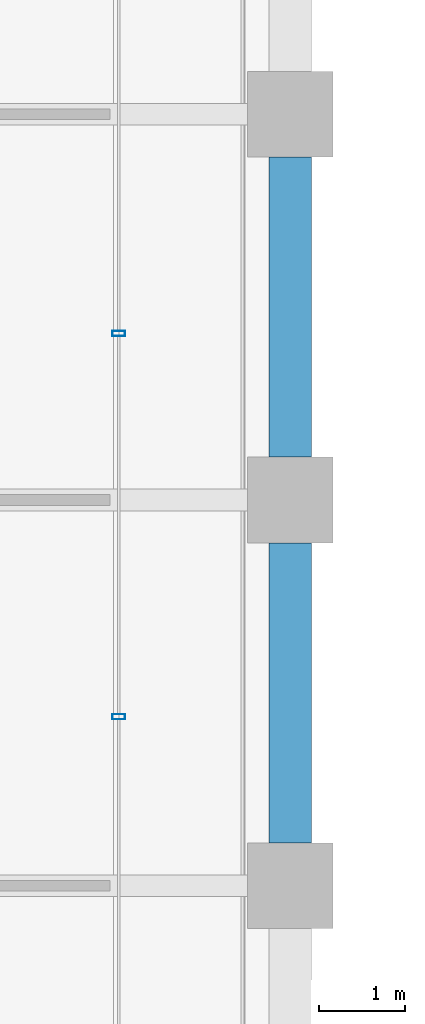
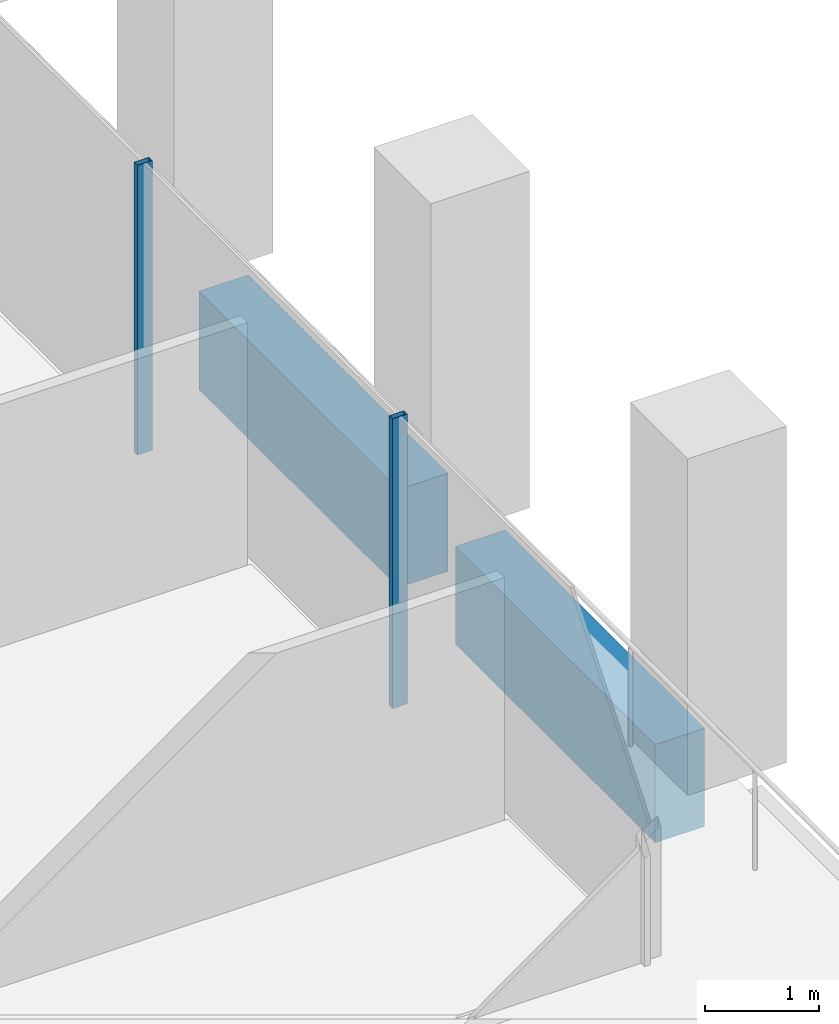
# One storey, part 15 of 46: 2 beams, 2 members, 1 element without a shape of its own.
"""IFC4 building model written with IfcOpenShell, lengths in metres."""

import ifcopenshell
import ifcopenshell.guid

model = None  # the IFC model being written
_history = None  # IfcOwnerHistory: only IFC2X3 demands one
_inside = {}  # id of a spatial element -> (the spatial element, [elements in it])
_under = {}  # id of a project, library or spatial element -> (it, [spatial elements below it])
_declared = {}  # id of a project -> (the project, [libraries it declares])
_typed = {}  # id of a type object -> (the type object, [elements of that type])
_made_of = {}  # id of a material, layer set ... -> (it, [elements and type objects made of it])


def new_model(schema):
    """Start an empty IFC model of exactly this schema.

    Asked for "IFC4X3", IfcOpenShell would pick the latest addendum, in which some entities
    have other attributes; the version numbers below select the first issue.
    IFC2X3 requires an IfcOwnerHistory on every rooted entity: one is made here for all.
    """
    global model, _history
    if schema == "IFC4X3":
        model = ifcopenshell.file(schema_version=(4, 3, 0, 0))
    else:
        model = ifcopenshell.file(schema=schema)
    _inside.clear()
    _under.clear()
    _declared.clear()
    _typed.clear()
    _made_of.clear()
    _history = None
    if model.schema == "IFC2X3":
        org = make("IfcOrganization", Name="unknown")
        user = make(
            "IfcPersonAndOrganization",
            ThePerson=make("IfcPerson", FamilyName="unknown"),
            TheOrganization=org,
        )
        app = make(
            "IfcApplication",
            ApplicationDeveloper=org,
            Version="unknown",
            ApplicationFullName="unknown",
            ApplicationIdentifier="unknown",
        )
        _history = make(
            "IfcOwnerHistory",
            OwningUser=user,
            OwningApplication=app,
            ChangeAction="ADDED",
            CreationDate=0,
        )
    return model


def make(cls, **values):
    """One entity of the class cls with the attributes given. An attribute that is None is left unset."""
    return model.create_entity(
        cls, **{name: value for name, value in values.items() if value is not None}
    )


def rooted(cls, **values):
    """An entity with a GlobalId (a new one), such as an element, a storey or a relation."""
    return make(cls, GlobalId=ifcopenshell.guid.new(), OwnerHistory=_history, **values)


def si_unit(unit_type, name, prefix=None):
    """IfcSIUnit, for example si_unit("LENGTHUNIT", "METRE", prefix="MILLI")."""
    return make("IfcSIUnit", UnitType=unit_type, Prefix=prefix, Name=name)


def assignment(units):
    """IfcUnitAssignment: the units of a project."""
    return None if units is None else make("IfcUnitAssignment", Units=units)


def point(xyz):
    """IfcCartesianPoint."""
    return None if xyz is None else make("IfcCartesianPoint", Coordinates=xyz)


def direction(xyz):
    """IfcDirection."""
    return None if xyz is None else make("IfcDirection", DirectionRatios=xyz)


def frame(location, z_axis=None, x_axis=None):
    """IfcAxis2Placement3D, a coordinate frame: its origin and axes. An axis left out is left unset."""
    return make(
        "IfcAxis2Placement3D",
        Location=point(location),
        Axis=direction(z_axis),
        RefDirection=direction(x_axis),
    )


def frame_2d(location, x_axis=None):
    """IfcAxis2Placement2D, a coordinate frame in the plane: its origin and x axis."""
    return make(
        "IfcAxis2Placement2D", Location=point(location), RefDirection=direction(x_axis)
    )


def origin():
    """The frame at (0, 0, 0) with its axes left unset."""
    return frame((0.0, 0.0, 0.0))


def origin_2d():
    """The frame at (0, 0) in the plane with its x axis left unset."""
    return frame_2d((0.0, 0.0))


def place(relative_to, where):
    """IfcLocalPlacement: puts the frame where relative to a parent placement (None: the world)."""
    return make(
        "IfcLocalPlacement", PlacementRelTo=relative_to, RelativePlacement=where
    )


def context(
    kind, dimensions, precision=None, world=None, true_north=None, identifier=None
):
    """IfcGeometricRepresentationContext, for example the 3D "Model" context."""
    return make(
        "IfcGeometricRepresentationContext",
        ContextIdentifier=identifier,
        ContextType=kind,
        CoordinateSpaceDimension=dimensions,
        Precision=precision,
        WorldCoordinateSystem=world,
        TrueNorth=true_north,
    )


def subcontext(parent, identifier, kind, view, scale=None):
    """IfcGeometricRepresentationSubContext, for example "Body" below "Model"."""
    return make(
        "IfcGeometricRepresentationSubContext",
        ContextIdentifier=identifier,
        ContextType=kind,
        ParentContext=parent,
        TargetScale=scale,
        TargetView=view,
    )


def project(units=None, contexts=None):
    """IfcProject with its units and contexts."""
    return rooted(
        "IfcProject",
        Name="project",
        RepresentationContexts=contexts,
        UnitsInContext=assignment(units),
    )


def spatial(cls, under=None, at=None, **own):
    """A site, building, storey or space (cls), placed at a placement, below another one or the project."""
    s = rooted(cls, ObjectPlacement=at, **own)
    if under is not None:
        _under.setdefault(under.id(), (under, []))[1].append(s)
    return s


def profile(cls, at=None, kind="AREA", **sizes):
    """A parametric profile (cls). Its sizes go by their IFC names, for example OverallWidth=200.0."""
    return make(cls, ProfileType=kind, Position=at, **sizes)


def rectangle(**sizes):
    """IfcRectangleProfileDef."""
    return profile("IfcRectangleProfileDef", **sizes)


def hollow_rectangle(**sizes):
    """IfcRectangleHollowProfileDef."""
    return profile("IfcRectangleHollowProfileDef", **sizes)


def extrude(swept, where, along, depth):
    """IfcExtrudedAreaSolid: the profile swept, set in the frame where, extruded along a direction by depth."""
    return make(
        "IfcExtrudedAreaSolid",
        SweptArea=swept,
        Position=where,
        ExtrudedDirection=direction(along),
        Depth=depth,
    )


def shape(context_of_items, identifier, shape_type, items):
    """IfcShapeRepresentation: the items that make up one representation, for example the "Body"."""
    return make(
        "IfcShapeRepresentation",
        ContextOfItems=context_of_items,
        RepresentationIdentifier=identifier,
        RepresentationType=shape_type,
        Items=items,
    )


def material(Name=None, Category=None):
    """IfcMaterial."""
    return make("IfcMaterial", Name=Name, Category=Category)


def material_profile(
    of_material, cross_section, Name=None, Category=None, Priority=None
):
    """IfcMaterialProfile: a cross section and its material."""
    return make(
        "IfcMaterialProfile",
        Name=Name,
        Material=of_material,
        Profile=cross_section,
        Priority=Priority,
        Category=Category,
    )


def profile_set(profiles, Name=None, composite=None):
    """IfcMaterialProfileSet."""
    return make(
        "IfcMaterialProfileSet",
        Name=Name,
        MaterialProfiles=profiles,
        CompositeProfile=composite,
    )


def made_of(thing, what):
    """Note that an element or type object is made of a material, layer set ...; save() writes the relation."""
    if what is not None:
        _made_of.setdefault(what.id(), (what, []))[1].append(thing)
    return thing


def type_object(cls, material=None, **own):
    """A type object (cls), such as IfcWallType, which elements share."""
    return made_of(rooted(cls, **own), material)


def element(
    cls,
    number,
    at=None,
    inside=None,
    cuts=None,
    type_object=None,
    material=None,
    context=None,
    identifier="Body",
    shape_type=None,
    held_by="IfcProductDefinitionShape",
    body=None,
    shapes=None,
    **own,
):
    """One element of the class cls, such as IfcWall. Its Tag is "e" and its number.

    at: its placement. inside: the storey or other place that contains it. cuts: it is an
    opening in that element (IfcRelVoidsElement). A single representation is given by context,
    identifier, shape_type and body (its items); several are given by shapes. held_by: the class
    of the entity that holds the representations. save() writes the other relations.
    """
    e = rooted(cls, Tag="e%d" % number, ObjectPlacement=at, **own)
    if body is not None:
        shapes = [shape(context, identifier, shape_type, body)]
    if shapes is not None:
        e.Representation = make(held_by, Representations=shapes)
    if inside is not None:
        _inside.setdefault(inside.id(), (inside, []))[1].append(e)
    if cuts is not None:
        rooted(
            "IfcRelVoidsElement", RelatingBuildingElement=cuts, RelatedOpeningElement=e
        )
    if type_object is not None:
        _typed.setdefault(type_object.id(), (type_object, []))[1].append(e)
    return made_of(e, material)


def aggregate(whole, parts):
    """IfcRelAggregates: a whole, such as a stair, and the parts it consists of."""
    return rooted("IfcRelAggregates", RelatingObject=whole, RelatedObjects=parts)


def save(model, path):
    """Write the relations noted so far, then the file.

    IfcRelAggregates (storeys below a building ...), IfcRelContainedInSpatialStructure (elements
    in a storey), IfcRelDefinesByType, IfcRelAssociatesMaterial and IfcRelDeclares: one each for
    every whole, place, type object, material and project.
    """
    for whole, parts in _under.values():
        aggregate(whole, parts)
    for where, things in _inside.values():
        rooted(
            "IfcRelContainedInSpatialStructure",
            RelatedElements=things,
            RelatingStructure=where,
        )
    for kind, things in _typed.values():
        rooted("IfcRelDefinesByType", RelatedObjects=things, RelatingType=kind)
    for what, things in _made_of.values():
        rooted("IfcRelAssociatesMaterial", RelatedObjects=things, RelatingMaterial=what)
    for by, libraries in _declared.values():
        rooted("IfcRelDeclares", RelatingContext=by, RelatedDefinitions=libraries)
    model.write(path)


model = new_model("IFC4")

# Units and contexts
model_context = context("Model", 3, precision=1e-05, world=origin(), true_north=direction((0.0, 1.0)))
body_context = subcontext(model_context, "Body", "Model", "MODEL_VIEW")
ifc_project = project(units=[si_unit("LENGTHUNIT", "METRE"), si_unit("AREAUNIT", "SQUARE_METRE"), si_unit("VOLUMEUNIT", "CUBIC_METRE"), si_unit("PLANEANGLEUNIT", "RADIAN"), si_unit("MASSUNIT", "GRAM", prefix="KILO")], contexts=[model_context])

# Site, building, storey
site_placement = place(None, origin())
site = spatial("IfcSite", under=ifc_project, at=site_placement, CompositionType="ELEMENT")
building_placement = place(site_placement, origin())
building = spatial("IfcBuilding", under=site, at=building_placement, Name="Altepetl Exchange Towers", CompositionType="ELEMENT")
storey_placement = place(building_placement, frame((0.0, 0.0, 135.199951171875)))
storey = spatial("IfcBuildingStorey", under=building, at=storey_placement, Name="L33", CompositionType="ELEMENT", Elevation=135.199951171875)

# Curtain wall, members
ifc_material_1 = material(Name="Aluminium 6063-T6 glazing", Category="aluminium")
curtain_wall_type = type_object("IfcCurtainWallType", Name="Loggia glazing system", PredefinedType="NOTDEFINED", material=ifc_material_1)
curtain_wall_placement = place(storey_placement, origin())
curtain_wall = element("IfcCurtainWall", 1, at=curtain_wall_placement, inside=storey, type_object=curtain_wall_type, Name="CW1 run", PredefinedType="NOTDEFINED")
ifc_material_2 = material(Name="Aluminium 6063-T6", Category="aluminium")
ifc_material_profile_1 = material_profile(ifc_material_2, hollow_rectangle(XDim=0.06005859375, YDim=0.14990234375, WallThickness=0.0029296875, at=origin_2d()), Name="Mullion 60x150 aluminium")
ifc_profile_set_1 = profile_set([ifc_material_profile_1], Name="Aluminium 6063-T6")
member_type = type_object("IfcMemberType", Name="Mullion 60x150 aluminium", PredefinedType="MULLION", material=ifc_profile_set_1)
member_1_placement = place(storey_placement, frame((70.0, 37.970947265625, 0.0), z_axis=(0.0, 0.0, 1.0), x_axis=(0.0, 1.0, 0.0)))
member_1 = element("IfcMember", 2, at=member_1_placement, type_object=member_type, Name="MU1 mullion", PredefinedType="MULLION", context=body_context, shape_type="SweptSolid", body=[
    extrude(hollow_rectangle(XDim=0.06005859375, YDim=0.14990234375, WallThickness=0.0029296875, at=origin_2d()), origin(), (0.0, 0.0, 1.0), 3.10009765625),
])
member_2_placement = place(storey_placement, frame((70.0, 42.44189453125, 0.0), z_axis=(0.0, 0.0, 1.0), x_axis=(0.0, 1.0, 0.0)))
member_2 = element("IfcMember", 3, at=member_2_placement, type_object=member_type, Name="MU1 mullion", PredefinedType="MULLION", context=body_context, shape_type="SweptSolid", body=[
    extrude(hollow_rectangle(XDim=0.06005859375, YDim=0.14990234375, WallThickness=0.0029296875, at=origin_2d()), origin(), (0.0, 0.0, 1.0), 3.10009765625),
])
aggregate(curtain_wall, [member_1, member_2])

# Beams
ifc_material_3 = material(Name="Concrete C50/60 precast with cantera amarilla facing", Category="concrete")
ifc_material_profile_2 = material_profile(ifc_material_3, rectangle(XDim=0.5, YDim=1.050048828125, at=origin_2d()), Name="500 x 1050")
ifc_profile_set_2 = profile_set([ifc_material_profile_2], Name="Concrete C50/60 precast with cantera amarilla facing")
beam_type = type_object("IfcBeamType", Name="Spandrel beam 500x1050 cantera amarilla", PredefinedType="SPANDREL", material=ifc_profile_set_2)
for number, where, z_axis, x_axis, name in (
    (4, (72.0, 36.5, -0.675048828125), (0.0, 1.0, 0.0), (-1.0, 0.0, 0.0), "sp:A:L33:013"),
    (5, (72.0, 41.0, -0.675048828125), (0.0, 1.0, 0.0), (-1.0, 0.0, 0.0), "sp:A:L33:014"),
):
    element("IfcBeam", number, at=place(storey_placement, frame(where, z_axis=z_axis, x_axis=x_axis)), inside=storey, type_object=beam_type, Name=name, PredefinedType="SPANDREL", context=body_context, shape_type="SweptSolid", body=[
        extrude(rectangle(XDim=0.5, YDim=1.050048828125, at=origin_2d()), origin(), (0.0, 0.0, 1.0), 3.5),
    ])

save(model, "model.ifc")
